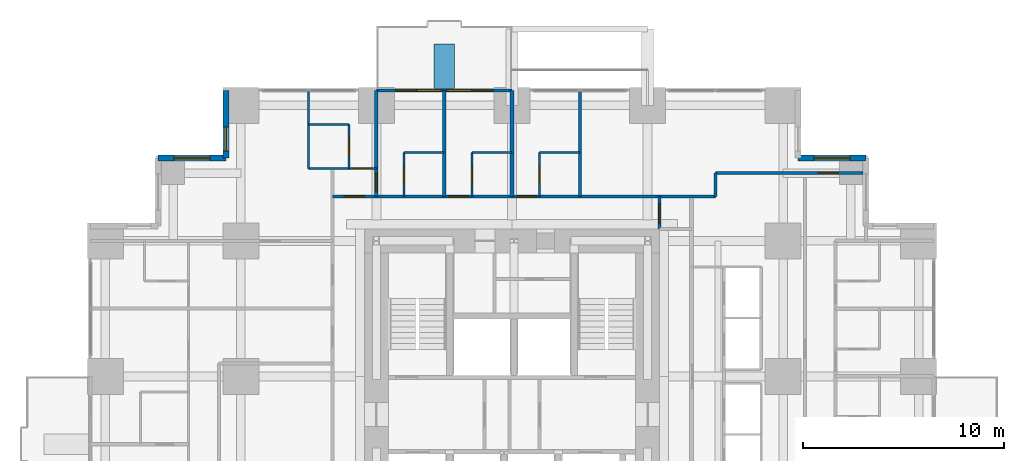
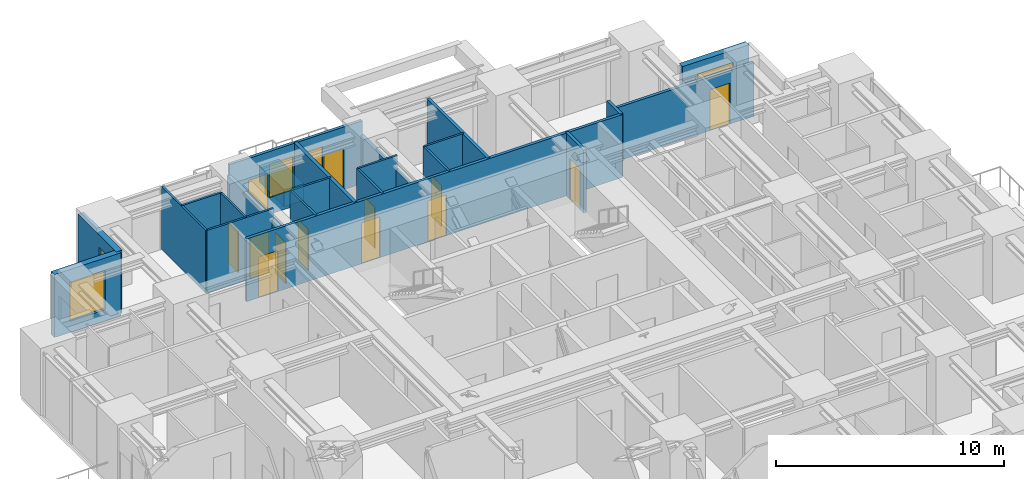
# One storey, part 11 of 13: 23 walls, 13 doors, 5 windows, 18 openings.
"""IFC4 building model written with IfcOpenShell, lengths in metres."""

from ifc_helpers import new_model, si_unit, direction, frame, frame_2d, origin, place, context, subcontext, project, spatial, rectangle, extrude, material, layer, layer_set, type_object, element, fill, save


model = new_model("IFC4")

# Units and contexts
model_context = context("Model", 3, precision=1e-05, world=origin(), true_north=direction((0.0, 1.0)))
body_context = subcontext(model_context, "Body", "Model", "MODEL_VIEW")
ifc_project = project(units=[si_unit("LENGTHUNIT", "METRE"), si_unit("AREAUNIT", "SQUARE_METRE"), si_unit("VOLUMEUNIT", "CUBIC_METRE"), si_unit("PLANEANGLEUNIT", "RADIAN"), si_unit("MASSUNIT", "GRAM", prefix="KILO")], contexts=[model_context])

# Site, building, storey
site_placement = place(None, origin())
site = spatial("IfcSite", under=ifc_project, at=site_placement, CompositionType="ELEMENT")
building_placement = place(site_placement, origin())
building = spatial("IfcBuilding", under=site, at=building_placement, Name="Nyansa Garden Tower", CompositionType="ELEMENT")
storey_placement = place(building_placement, frame((0.0, 0.0, 101.699951171875)))
storey = spatial("IfcBuildingStorey", under=building, at=storey_placement, Name="L27", CompositionType="ELEMENT", Elevation=101.699951171875)

# Wall, opening, door
ifc_material_1 = material(Name="Dense blockwork, plastered both sides, 55 dB", Category="masonry")
ifc_layer_1 = layer(ifc_material_1, 0.175048828125)
ifc_layer_set_1 = layer_set([ifc_layer_1], Name="Acoustic party wall PW175")
wall_type_1 = type_object("IfcWallType", Name="Acoustic party wall PW175", PredefinedType="PARTITIONING", material=ifc_layer_set_1)
wall_1_placement = place(storey_placement, frame((13.5, 29.199951171875, 0.0), z_axis=(0.0, 0.0, 1.0), x_axis=(0.0, 1.0, 0.0)))
wall_1 = element("IfcWall", 1, at=wall_1_placement, inside=storey, type_object=wall_type_1, Name="Party wall", PredefinedType="PARTITIONING", context=body_context, shape_type="SweptSolid", body=[
    extrude(rectangle(XDim=5.283935546875, YDim=0.175048828125, at=frame_2d((2.64208984375, 0.0))), origin(), (0.0, 0.0, 1.0), 2.80615234375),
])
opening_1_placement = place(wall_1_placement, frame((0.25, 0.0, 0.0)))
opening_1 = element("IfcOpeningElement", 2, at=opening_1_placement, cuts=wall_1, Name="Opening D14", PredefinedType="OPENING", context=body_context, shape_type="SweptSolid", body=[
    extrude(rectangle(XDim=0.949951171875, YDim=2.199951171875, at=frame_2d((0.47509765625, 1.10009765625))), frame((0.0, 0.097412109375, 0.0), z_axis=(0.0, -1.0, 0.0), x_axis=(1.0, 0.0, 0.0)), (0.0, 0.0, 1.0), 0.195068359375),
])
ifc_material_2 = material(Name="Timber flush door, 60 minute fire resisting, self-closing", Category="wood")
door_type_1 = type_object("IfcDoorType", Name="Studio entrance door D14 950x2200", OperationType="SINGLE_SWING_LEFT", PredefinedType="DOOR", material=ifc_material_2)
door_1_placement = place(opening_1_placement, origin())
door_1 = element("IfcDoor", 3, at=door_1_placement, inside=storey, type_object=door_type_1, Name="Door L27-047", OperationType="SINGLE_SWING_LEFT", OverallHeight=2.199951171875, OverallWidth=0.949951171875, PredefinedType="DOOR", context=body_context, shape_type="SweptSolid", body=[
    extrude(rectangle(XDim=0.949951171875, YDim=2.199951171875, at=frame_2d((0.47509765625, 1.10009765625))), frame((0.0, 0.02490234375, 0.0), z_axis=(0.0, -1.0, 0.0), x_axis=(1.0, 0.0, 0.0)), (0.0, 0.0, 1.0), 0.050048828125),
])
fill(opening_1, door_1)

# Walls
wall_2_placement = place(storey_placement, frame((16.875, 29.199951171875, 0.0), z_axis=(0.0, 0.0, 1.0), x_axis=(0.0, 1.0, 0.0)))
element("IfcWall", 4, at=wall_2_placement, inside=storey, type_object=wall_type_1, Name="Party wall", PredefinedType="PARTITIONING", context=body_context, shape_type="SweptSolid", body=[
    extrude(rectangle(XDim=5.283935546875, YDim=0.175048828125, at=frame_2d((2.64208984375, 0.0))), origin(), (0.0, 0.0, 1.0), 3.375),
])
wall_3_placement = place(storey_placement, frame((20.25, 29.199951171875, 0.0), z_axis=(0.0, 0.0, 1.0), x_axis=(0.0, 1.0, 0.0)))
element("IfcWall", 5, at=wall_3_placement, inside=storey, type_object=wall_type_1, Name="Party wall", PredefinedType="PARTITIONING", context=body_context, shape_type="SweptSolid", body=[
    extrude(rectangle(XDim=5.283935546875, YDim=0.175048828125, at=frame_2d((2.64208984375, 0.0))), origin(), (0.0, 0.0, 1.0), 2.610107421875),
])

# Wall, openings, doors, windows
ifc_material_3 = material(Name="Black aluminium framed glazed screen", Category="aluminium")
ifc_layer_2 = layer(ifc_material_3, 0.14990234375)
ifc_layer_set_2 = layer_set([ifc_layer_2], Name="Balcony screen wall BW150")
wall_type_2 = type_object("IfcWallType", Name="Balcony screen wall BW150", PredefinedType="SOLIDWALL", material=ifc_layer_set_2)
wall_4_placement = place(storey_placement, frame((13.5, 34.5, 0.0), z_axis=(0.0, 0.0, 1.0), x_axis=(1.0, 0.0, 0.0)))
wall_4 = element("IfcWall", 6, at=wall_4_placement, inside=storey, type_object=wall_type_2, Name="Glazed screen wall L27 N", PredefinedType="SOLIDWALL", context=body_context, shape_type="SweptSolid", body=[
    extrude(rectangle(XDim=6.75, YDim=0.14990234375, at=frame_2d((3.375, 0.0))), origin(), (0.0, 0.0, 1.0), 3.375),
])
opening_2_placement = place(wall_4_placement, frame((0.96240234375, 0.0, 0.0)))
opening_2 = element("IfcOpeningElement", 7, at=opening_2_placement, cuts=wall_4, Name="Opening D20", PredefinedType="OPENING", context=body_context, shape_type="SweptSolid", body=[
    extrude(rectangle(XDim=1.0, YDim=2.199951171875, at=frame_2d((0.5, 1.10009765625))), frame((0.0, 0.0849609375, 0.0), z_axis=(0.0, -1.0, 0.0), x_axis=(1.0, 0.0, 0.0)), (0.0, 0.0, 1.0), 0.169921875),
])
opening_3_placement = place(wall_4_placement, frame((2.02490234375, 0.0, 0.89990234375)))
opening_3 = element("IfcOpeningElement", 8, at=opening_3_placement, cuts=wall_4, Name="Opening W6", PredefinedType="OPENING", context=body_context, shape_type="SweptSolid", body=[
    extrude(rectangle(XDim=1.199951171875, YDim=1.800048828125, at=frame_2d((0.60009765625, 0.89990234375))), frame((0.0, 0.0849609375, 0.0), z_axis=(0.0, -1.0, 0.0), x_axis=(1.0, 0.0, 0.0)), (0.0, 0.0, 1.0), 0.169921875),
])
opening_4_placement = place(wall_4_placement, frame((4.78759765625, 0.0, 0.0)))
opening_4 = element("IfcOpeningElement", 9, at=opening_4_placement, cuts=wall_4, Name="Opening D20", PredefinedType="OPENING", context=body_context, shape_type="SweptSolid", body=[
    extrude(rectangle(XDim=1.0, YDim=2.199951171875, at=frame_2d((0.5, 1.10009765625))), frame((0.0, 0.0849609375, 0.0), z_axis=(0.0, -1.0, 0.0), x_axis=(1.0, 0.0, 0.0)), (0.0, 0.0, 1.0), 0.169921875),
])
opening_5_placement = place(wall_4_placement, frame((3.52490234375, 0.0, 0.89990234375)))
opening_5 = element("IfcOpeningElement", 10, at=opening_5_placement, cuts=wall_4, Name="Opening W6", PredefinedType="OPENING", context=body_context, shape_type="SweptSolid", body=[
    extrude(rectangle(XDim=1.199951171875, YDim=1.800048828125, at=frame_2d((0.60009765625, 0.89990234375))), frame((0.0, 0.0849609375, 0.0), z_axis=(0.0, -1.0, 0.0), x_axis=(1.0, 0.0, 0.0)), (0.0, 0.0, 1.0), 0.169921875),
])
ifc_material_4 = material(Name="Black aluminium framed glazed door", Category="aluminium")
door_type_2 = type_object("IfcDoorType", Name="Balcony door D20 1000x2200", OperationType="NOTDEFINED", PredefinedType="DOOR", material=ifc_material_4)
door_2_placement = place(opening_2_placement, origin())
door_2 = element("IfcDoor", 11, at=door_2_placement, inside=storey, type_object=door_type_2, Name="Balcony door L27", OperationType="SINGLE_SWING_LEFT", OverallHeight=2.199951171875, OverallWidth=1.0, PredefinedType="DOOR", context=body_context, shape_type="SweptSolid", body=[
    extrude(rectangle(XDim=1.0, YDim=2.199951171875, at=frame_2d((0.5, 1.10009765625))), frame((0.0, 0.02490234375, 0.0), z_axis=(0.0, -1.0, 0.0), x_axis=(1.0, 0.0, 0.0)), (0.0, 0.0, 1.0), 0.050048828125),
])
fill(opening_2, door_2)
door_3_placement = place(opening_4_placement, origin())
door_3 = element("IfcDoor", 12, at=door_3_placement, inside=storey, type_object=door_type_2, Name="Balcony door L27", OperationType="SINGLE_SWING_RIGHT", OverallHeight=2.199951171875, OverallWidth=1.0, PredefinedType="DOOR", context=body_context, shape_type="SweptSolid", body=[
    extrude(rectangle(XDim=1.0, YDim=2.199951171875, at=frame_2d((0.5, 1.10009765625))), frame((0.0, 0.02490234375, 0.0), z_axis=(0.0, -1.0, 0.0), x_axis=(1.0, 0.0, 0.0)), (0.0, 0.0, 1.0), 0.050048828125),
])
fill(opening_4, door_3)
ifc_material_5 = material(Name="Black aluminium frame, dark tinted double glazing", Category="aluminium")
window_type_1 = type_object("IfcWindowType", Name="Balcony window W6 1200x1800", PartitioningType="SINGLE_PANEL", PredefinedType="WINDOW", material=ifc_material_5)
window_1_placement = place(opening_3_placement, origin())
window_1 = element("IfcWindow", 13, at=window_1_placement, inside=storey, type_object=window_type_1, Name="Window L27", OverallHeight=1.800048828125, OverallWidth=1.199951171875, PartitioningType="SINGLE_PANEL", PredefinedType="WINDOW", context=body_context, shape_type="SweptSolid", body=[
    extrude(rectangle(XDim=1.199951171875, YDim=1.800048828125, at=frame_2d((0.60009765625, 0.89990234375))), frame((0.0, 0.030029296875, 0.0), z_axis=(0.0, -1.0, 0.0), x_axis=(1.0, 0.0, 0.0)), (0.0, 0.0, 1.0), 0.06005859375),
])
fill(opening_3, window_1)
window_2_placement = place(opening_5_placement, origin())
window_2 = element("IfcWindow", 14, at=window_2_placement, inside=storey, type_object=window_type_1, Name="Window L27", OverallHeight=1.800048828125, OverallWidth=1.199951171875, PartitioningType="SINGLE_PANEL", PredefinedType="WINDOW", context=body_context, shape_type="SweptSolid", body=[
    extrude(rectangle(XDim=1.199951171875, YDim=1.800048828125, at=frame_2d((0.60009765625, 0.89990234375))), frame((0.0, 0.030029296875, 0.0), z_axis=(0.0, -1.0, 0.0), x_axis=(1.0, 0.0, 0.0)), (0.0, 0.0, 1.0), 0.06005859375),
])
fill(opening_5, window_2)

# Wall, openings, doors
ifc_material_6 = material(Name="Blockwork, plastered both sides", Category="masonry")
ifc_layer_3 = layer(ifc_material_6, 0.14990234375)
ifc_layer_set_3 = layer_set([ifc_layer_3], Name="Partition PW150")
wall_type_3 = type_object("IfcWallType", Name="Partition PW150", PredefinedType="PARTITIONING", material=ifc_layer_set_3)
wall_5_placement = place(storey_placement, frame((11.300048828125, 29.199951171875, 0.0), z_axis=(0.0, 0.0, 1.0), x_axis=(1.0, 0.0, 0.0)))
wall_5 = element("IfcWall", 15, at=wall_5_placement, inside=storey, type_object=wall_type_3, Name="Partition", PredefinedType="PARTITIONING", context=body_context, shape_type="SweptSolid", body=[
    extrude(rectangle(XDim=19.074951171875, YDim=0.14990234375, at=frame_2d((9.53759765625, 0.0))), origin(), (0.0, 0.0, 1.0), 3.375),
])
opening_6_placement = place(wall_5_placement, frame((5.824951171875, 0.0, 0.0)))
opening_6 = element("IfcOpeningElement", 16, at=opening_6_placement, cuts=wall_5, Name="Opening D14", PredefinedType="OPENING", context=body_context, shape_type="SweptSolid", body=[
    extrude(rectangle(XDim=0.949951171875, YDim=2.199951171875, at=frame_2d((0.47509765625, 1.10009765625))), frame((0.0, 0.0849609375, 0.0), z_axis=(0.0, -1.0, 0.0), x_axis=(1.0, 0.0, 0.0)), (0.0, 0.0, 1.0), 0.169921875),
])
opening_7_placement = place(wall_5_placement, frame((9.199951171875, 0.0, 0.0)))
opening_7 = element("IfcOpeningElement", 17, at=opening_7_placement, cuts=wall_5, Name="Opening D14", PredefinedType="OPENING", context=body_context, shape_type="SweptSolid", body=[
    extrude(rectangle(XDim=0.949951171875, YDim=2.199951171875, at=frame_2d((0.47509765625, 1.10009765625))), frame((0.0, 0.0849609375, 0.0), z_axis=(0.0, -1.0, 0.0), x_axis=(1.0, 0.0, 0.0)), (0.0, 0.0, 1.0), 0.169921875),
])
opening_8_placement = place(wall_5_placement, frame((0.60009765625, 0.0, 0.0)))
opening_8 = element("IfcOpeningElement", 18, at=opening_8_placement, cuts=wall_5, Name="Opening D03", PredefinedType="OPENING", context=body_context, shape_type="SweptSolid", body=[
    extrude(rectangle(XDim=1.0, YDim=2.199951171875, at=frame_2d((0.5, 1.10009765625))), frame((0.0, 0.0849609375, 0.0), z_axis=(0.0, -1.0, 0.0), x_axis=(1.0, 0.0, 0.0)), (0.0, 0.0, 1.0), 0.169921875),
])
ifc_material_7 = material(Name="Timber flush door, 60 minute fire resisting", Category="wood")
door_type_3 = type_object("IfcDoorType", Name="Cluster entrance door D03 1000x2200", OperationType="SINGLE_SWING_LEFT", PredefinedType="DOOR", material=ifc_material_7)
door_4_placement = place(opening_8_placement, origin())
door_4 = element("IfcDoor", 19, at=door_4_placement, inside=storey, type_object=door_type_3, Name="Door L27-053", OperationType="SINGLE_SWING_LEFT", OverallHeight=2.199951171875, OverallWidth=1.0, PredefinedType="DOOR", context=body_context, shape_type="SweptSolid", body=[
    extrude(rectangle(XDim=1.0, YDim=2.199951171875, at=frame_2d((0.5, 1.10009765625))), frame((0.0, 0.02490234375, 0.0), z_axis=(0.0, -1.0, 0.0), x_axis=(1.0, 0.0, 0.0)), (0.0, 0.0, 1.0), 0.050048828125),
])
fill(opening_8, door_4)
door_5_placement = place(opening_6_placement, origin())
door_5 = element("IfcDoor", 20, at=door_5_placement, inside=storey, type_object=door_type_1, Name="Door L27-049", OperationType="SINGLE_SWING_LEFT", OverallHeight=2.199951171875, OverallWidth=0.949951171875, PredefinedType="DOOR", context=body_context, shape_type="SweptSolid", body=[
    extrude(rectangle(XDim=0.949951171875, YDim=2.199951171875, at=frame_2d((0.47509765625, 1.10009765625))), frame((0.0, 0.02490234375, 0.0), z_axis=(0.0, -1.0, 0.0), x_axis=(1.0, 0.0, 0.0)), (0.0, 0.0, 1.0), 0.050048828125),
])
fill(opening_6, door_5)
door_6_placement = place(opening_7_placement, origin())
door_6 = element("IfcDoor", 21, at=door_6_placement, inside=storey, type_object=door_type_1, Name="Door L27-051", OperationType="SINGLE_SWING_LEFT", OverallHeight=2.199951171875, OverallWidth=0.949951171875, PredefinedType="DOOR", context=body_context, shape_type="SweptSolid", body=[
    extrude(rectangle(XDim=0.949951171875, YDim=2.199951171875, at=frame_2d((0.47509765625, 1.10009765625))), frame((0.0, 0.02490234375, 0.0), z_axis=(0.0, -1.0, 0.0), x_axis=(1.0, 0.0, 0.0)), (0.0, 0.0, 1.0), 0.050048828125),
])
fill(opening_7, door_6)

# Wall
wall_6_placement = place(storey_placement, frame((23.625, 29.199951171875, 0.0), z_axis=(0.0, 0.0, 1.0), x_axis=(0.0, 1.0, 0.0)))
element("IfcWall", 22, at=wall_6_placement, inside=storey, type_object=wall_type_3, Name="Partition", PredefinedType="PARTITIONING", context=body_context, shape_type="SweptSolid", body=[
    extrude(rectangle(XDim=5.283935546875, YDim=0.14990234375, at=frame_2d((2.64208984375, 0.0))), origin(), (0.0, 0.0, 1.0), 3.375),
])

# Wall, opening, door
wall_7_placement = place(storey_placement, frame((27.60009765625, 27.60009765625, 0.0), z_axis=(0.0, 0.0, 1.0), x_axis=(0.0, 1.0, 0.0)))
wall_7 = element("IfcWall", 23, at=wall_7_placement, inside=storey, type_object=wall_type_3, Name="Partition", PredefinedType="PARTITIONING", context=body_context, shape_type="SweptSolid", body=[
    extrude(rectangle(XDim=1.599853515625, YDim=0.14990234375, at=frame_2d((0.7998046875, 0.0))), origin(), (0.0, 0.0, 1.0), 3.375),
])
opening_9_placement = place(wall_7_placement, frame((0.300048828125, 0.0, 0.0)))
opening_9 = element("IfcOpeningElement", 24, at=opening_9_placement, cuts=wall_7, Name="Opening D01", PredefinedType="OPENING", context=body_context, shape_type="SweptSolid", body=[
    extrude(rectangle(XDim=0.949951171875, YDim=2.199951171875, at=frame_2d((0.47509765625, 1.10009765625))), frame((0.0, 0.0849609375, 0.0), z_axis=(0.0, -1.0, 0.0), x_axis=(1.0, 0.0, 0.0)), (0.0, 0.0, 1.0), 0.169921875),
])
ifc_material_8 = material(Name="Timber flush door, 30 minute fire resisting", Category="wood")
door_type_4 = type_object("IfcDoorType", Name="Bedroom door D01 950x2200", OperationType="SINGLE_SWING_LEFT", PredefinedType="DOOR", material=ifc_material_8)
door_7_placement = place(opening_9_placement, origin())
door_7 = element("IfcDoor", 25, at=door_7_placement, inside=storey, type_object=door_type_4, Name="Door L27-018", OperationType="SINGLE_SWING_LEFT", OverallHeight=2.199951171875, OverallWidth=0.949951171875, PredefinedType="DOOR", context=body_context, shape_type="SweptSolid", body=[
    extrude(rectangle(XDim=0.949951171875, YDim=2.199951171875, at=frame_2d((0.47509765625, 1.10009765625))), frame((0.0, 0.02490234375, 0.0), z_axis=(0.0, -1.0, 0.0), x_axis=(1.0, 0.0, 0.0)), (0.0, 0.0, 1.0), 0.050048828125),
])
fill(opening_9, door_7)

# Wall
wall_8_placement = place(storey_placement, frame((30.375, 29.199951171875, 0.0), z_axis=(0.0, 0.0, 1.0), x_axis=(0.0, 1.0, 0.0)))
element("IfcWall", 26, at=wall_8_placement, inside=storey, type_object=wall_type_3, Name="Partition", PredefinedType="PARTITIONING", context=body_context, shape_type="SweptSolid", body=[
    extrude(rectangle(XDim=1.175048828125, YDim=0.14990234375, at=frame_2d((0.58740234375, 0.0))), origin(), (0.0, 0.0, 1.0), 3.375),
])

# Wall, opening, door
wall_9_placement = place(storey_placement, frame((30.375, 30.375, 0.0), z_axis=(0.0, 0.0, 1.0), x_axis=(1.0, 0.0, 0.0)))
wall_9 = element("IfcWall", 27, at=wall_9_placement, inside=storey, type_object=wall_type_3, Name="Partition", PredefinedType="PARTITIONING", context=body_context, shape_type="SweptSolid", body=[
    extrude(rectangle(XDim=7.35009765625, YDim=0.14990234375, at=frame_2d((3.675048828125, 0.0))), origin(), (0.0, 0.0, 1.0), 2.876953125),
])
opening_10_placement = place(wall_9_placement, frame((5.125, 0.0, 0.0)))
opening_10 = element("IfcOpeningElement", 28, at=opening_10_placement, cuts=wall_9, Name="Opening D03", PredefinedType="OPENING", context=body_context, shape_type="SweptSolid", body=[
    extrude(rectangle(XDim=1.0, YDim=2.199951171875, at=frame_2d((0.5, 1.10009765625))), frame((0.0, 0.0849609375, 0.0), z_axis=(0.0, -1.0, 0.0), x_axis=(1.0, 0.0, 0.0)), (0.0, 0.0, 1.0), 0.169921875),
])
door_8_placement = place(opening_10_placement, origin())
door_8 = element("IfcDoor", 29, at=door_8_placement, inside=storey, type_object=door_type_3, Name="Door L27-044", OperationType="SINGLE_SWING_LEFT", OverallHeight=2.199951171875, OverallWidth=1.0, PredefinedType="DOOR", context=body_context, shape_type="SweptSolid", body=[
    extrude(rectangle(XDim=1.0, YDim=2.199951171875, at=frame_2d((0.5, 1.10009765625))), frame((0.0, 0.02490234375, 0.0), z_axis=(0.0, -1.0, 0.0), x_axis=(1.0, 0.0, 0.0)), (0.0, 0.0, 1.0), 0.050048828125),
])
fill(opening_10, door_8)

# Wall, opening, window
ifc_material_9 = material(Name="Turquoise glazed tile on concrete blockwork", Category="masonry")
ifc_layer_4 = layer(ifc_material_9, 0.300048828125)
ifc_layer_set_4 = layer_set([ifc_layer_4], Name="Tiled corner wall TW300")
wall_type_4 = type_object("IfcWallType", Name="Tiled corner wall TW300", PredefinedType="SOLIDWALL", material=ifc_layer_set_4)
wall_10_placement = place(storey_placement, frame((37.875, 31.125, 0.0), z_axis=(0.0, 0.0, 1.0), x_axis=(-1.0, 0.0, 0.0)))
wall_10 = element("IfcWall", 30, at=wall_10_placement, inside=storey, type_object=wall_type_4, Name="Tiled corner wall L27", PredefinedType="SOLIDWALL", context=body_context, shape_type="SweptSolid", body=[
    extrude(rectangle(XDim=3.375, YDim=0.300048828125, at=frame_2d((1.6875, 0.0))), origin(), (0.0, 0.0, 1.0), 3.375),
])
opening_11_placement = place(wall_10_placement, frame((0.78759765625, 0.0, 0.60009765625)))
opening_11 = element("IfcOpeningElement", 31, at=opening_11_placement, cuts=wall_10, Name="Opening W2", PredefinedType="OPENING", context=body_context, shape_type="SweptSolid", body=[
    extrude(rectangle(XDim=1.800048828125, YDim=2.10009765625, at=frame_2d((0.89990234375, 1.050048828125))), frame((0.0, 0.159912109375, 0.0), z_axis=(0.0, -1.0, 0.0), x_axis=(1.0, 0.0, 0.0)), (0.0, 0.0, 1.0), 0.320068359375),
])
ifc_material_10 = material(Name="Black aluminium frame, dark tinted double glazing", Category="aluminium")
window_type_2 = type_object("IfcWindowType", Name="Window W2 1800x2100", PartitioningType="SINGLE_PANEL", PredefinedType="WINDOW", material=ifc_material_10)
window_3_placement = place(opening_11_placement, origin())
window_3 = element("IfcWindow", 32, at=window_3_placement, inside=storey, type_object=window_type_2, Name="Corner window L27", OverallHeight=2.10009765625, OverallWidth=1.800048828125, PartitioningType="SINGLE_PANEL", PredefinedType="WINDOW", context=body_context, shape_type="SweptSolid", body=[
    extrude(rectangle(XDim=1.800048828125, YDim=2.10009765625, at=frame_2d((0.89990234375, 1.050048828125))), frame((0.0, 0.030029296875, 0.0), z_axis=(0.0, -1.0, 0.0), x_axis=(1.0, 0.0, 0.0)), (0.0, 0.0, 1.0), 0.06005859375),
])
fill(opening_11, window_3)

wall_11_placement = place(storey_placement, frame((6.0, 34.5, 0.0), z_axis=(0.0, 0.0, 1.0), x_axis=(0.0, -1.0, 0.0)))
wall_11 = element("IfcWall", 33, at=wall_11_placement, inside=storey, type_object=wall_type_4, Name="Tiled corner wall L27", PredefinedType="SOLIDWALL", context=body_context, shape_type="SweptSolid", body=[
    extrude(rectangle(XDim=3.375, YDim=0.300048828125, at=frame_2d((1.6875, 0.0))), origin(), (0.0, 0.0, 1.0), 3.375),
])
opening_12_placement = place(wall_11_placement, frame((1.83251953125, 0.0, 0.89990234375)))
opening_12 = element("IfcOpeningElement", 34, at=opening_12_placement, cuts=wall_11, Name="Opening W4", PredefinedType="OPENING", context=body_context, shape_type="SweptSolid", body=[
    extrude(rectangle(XDim=1.199951171875, YDim=1.800048828125, at=frame_2d((0.60009765625, 0.89990234375))), frame((0.0, 0.159912109375, 0.0), z_axis=(0.0, -1.0, 0.0), x_axis=(1.0, 0.0, 0.0)), (0.0, 0.0, 1.0), 0.320068359375),
])
ifc_material_11 = material(Name="Black aluminium frame, dark tinted double glazing", Category="aluminium")
window_type_3 = type_object("IfcWindowType", Name="Window W4 1200x1800", PartitioningType="SINGLE_PANEL", PredefinedType="WINDOW", material=ifc_material_11)
window_4_placement = place(opening_12_placement, origin())
window_4 = element("IfcWindow", 35, at=window_4_placement, inside=storey, type_object=window_type_3, Name="Corner window L27", OverallHeight=1.800048828125, OverallWidth=1.199951171875, PartitioningType="SINGLE_PANEL", PredefinedType="WINDOW", context=body_context, shape_type="SweptSolid", body=[
    extrude(rectangle(XDim=1.199951171875, YDim=1.800048828125, at=frame_2d((0.60009765625, 0.89990234375))), frame((0.0, 0.030029296875, 0.0), z_axis=(0.0, -1.0, 0.0), x_axis=(1.0, 0.0, 0.0)), (0.0, 0.0, 1.0), 0.06005859375),
])
fill(opening_12, window_4)

wall_12_placement = place(storey_placement, frame((6.0, 31.125, 0.0), z_axis=(0.0, 0.0, 1.0), x_axis=(-1.0, 0.0, 0.0)))
wall_12 = element("IfcWall", 36, at=wall_12_placement, inside=storey, type_object=wall_type_4, Name="Tiled corner wall L27", PredefinedType="SOLIDWALL", context=body_context, shape_type="SweptSolid", body=[
    extrude(rectangle(XDim=3.375, YDim=0.300048828125, at=frame_2d((1.6875, 0.0))), origin(), (0.0, 0.0, 1.0), 3.375),
])
opening_13_placement = place(wall_12_placement, frame((0.78759765625, 0.0, 0.60009765625)))
opening_13 = element("IfcOpeningElement", 37, at=opening_13_placement, cuts=wall_12, Name="Opening W2", PredefinedType="OPENING", context=body_context, shape_type="SweptSolid", body=[
    extrude(rectangle(XDim=1.800048828125, YDim=2.10009765625, at=frame_2d((0.89990234375, 1.050048828125))), frame((0.0, 0.159912109375, 0.0), z_axis=(0.0, -1.0, 0.0), x_axis=(1.0, 0.0, 0.0)), (0.0, 0.0, 1.0), 0.320068359375),
])
window_5_placement = place(opening_13_placement, origin())
window_5 = element("IfcWindow", 38, at=window_5_placement, inside=storey, type_object=window_type_2, Name="Corner window L27", OverallHeight=2.10009765625, OverallWidth=1.800048828125, PartitioningType="SINGLE_PANEL", PredefinedType="WINDOW", context=body_context, shape_type="SweptSolid", body=[
    extrude(rectangle(XDim=1.800048828125, YDim=2.10009765625, at=frame_2d((0.89990234375, 1.050048828125))), frame((0.0, 0.030029296875, 0.0), z_axis=(0.0, -1.0, 0.0), x_axis=(1.0, 0.0, 0.0)), (0.0, 0.0, 1.0), 0.06005859375),
])
fill(opening_13, window_5)

# Walls
ifc_material_12 = material(Name="Concrete C40/50 planter, waterproofed", Category="concrete")
ifc_layer_5 = layer(ifc_material_12, 1.0)
ifc_layer_set_5 = layer_set([ifc_layer_5], Name="Tree planter TP1")
wall_type_5 = type_object("IfcWallType", Name="Tree planter TP1", PredefinedType="USERDEFINED", material=ifc_layer_set_5)
wall_13_placement = place(storey_placement, frame((16.875, 34.60009765625, 0.0), z_axis=(0.0, 0.0, 1.0), x_axis=(0.0, 1.0, 0.0)))
element("IfcWall", 39, at=wall_13_placement, inside=storey, type_object=wall_type_5, Name="Tree planter L27", ObjectType="TREE PLANTER", PredefinedType="USERDEFINED", context=body_context, shape_type="SweptSolid", body=[
    extrude(rectangle(XDim=2.199951171875, YDim=1.0, at=frame_2d((1.10009765625, 0.0))), origin(), (0.0, 0.0, 1.0), 0.900146484375),
])
ifc_material_13 = material(Name="Moisture resistant board on steel studs, tiled", Category="steel")
ifc_layer_6 = layer(ifc_material_13, 0.10009765625)
ifc_layer_set_6 = layer_set([ifc_layer_6], Name="Wet wall PW100")
wall_type_6 = type_object("IfcWallType", Name="Wet wall PW100", PredefinedType="PARTITIONING", material=ifc_layer_set_6)
wall_14_placement = place(storey_placement, frame((10.125, 30.60009765625, 0.0), z_axis=(0.0, 0.0, 1.0), x_axis=(0.0, 1.0, 0.0)))
element("IfcWall", 40, at=wall_14_placement, inside=storey, type_object=wall_type_6, Name="Wet wall", PredefinedType="PARTITIONING", context=body_context, shape_type="SweptSolid", body=[
    extrude(rectangle(XDim=3.8837890625, YDim=0.10009765625, at=frame_2d((1.94189453125, 0.0))), origin(), (0.0, 0.0, 1.0), 3.375),
])

# Wall, opening, door
wall_15_placement = place(storey_placement, frame((10.125, 30.60009765625, 0.0), z_axis=(0.0, 0.0, 1.0), x_axis=(1.0, 0.0, 0.0)))
wall_15 = element("IfcWall", 41, at=wall_15_placement, inside=storey, type_object=wall_type_6, Name="Wet wall", PredefinedType="PARTITIONING", context=body_context, shape_type="SweptSolid", body=[
    extrude(rectangle(XDim=3.375, YDim=0.10009765625, at=frame_2d((1.6875, 0.0))), origin(), (0.0, 0.0, 1.0), 3.375),
])
opening_14_placement = place(wall_15_placement, frame((2.199951171875, 0.0, 0.0)))
opening_14 = element("IfcOpeningElement", 42, at=opening_14_placement, cuts=wall_15, Name="Opening D14", PredefinedType="OPENING", context=body_context, shape_type="SweptSolid", body=[
    extrude(rectangle(XDim=0.949951171875, YDim=2.199951171875, at=frame_2d((0.47509765625, 1.10009765625))), frame((0.0, 0.06005859375, 0.0), z_axis=(0.0, -1.0, 0.0), x_axis=(1.0, 0.0, 0.0)), (0.0, 0.0, 1.0), 0.1201171875),
])
door_9_placement = place(opening_14_placement, origin())
door_9 = element("IfcDoor", 43, at=door_9_placement, inside=storey, type_object=door_type_1, Name="Door L27-045", OperationType="SINGLE_SWING_LEFT", OverallHeight=2.199951171875, OverallWidth=0.949951171875, PredefinedType="DOOR", context=body_context, shape_type="SweptSolid", body=[
    extrude(rectangle(XDim=0.949951171875, YDim=2.199951171875, at=frame_2d((0.47509765625, 1.10009765625))), frame((0.0, 0.02490234375, 0.0), z_axis=(0.0, -1.0, 0.0), x_axis=(1.0, 0.0, 0.0)), (0.0, 0.0, 1.0), 0.050048828125),
])
fill(opening_14, door_9)

# Wall
wall_16_placement = place(storey_placement, frame((10.125, 32.800048828125, 0.0), z_axis=(0.0, 0.0, 1.0), x_axis=(1.0, 0.0, 0.0)))
element("IfcWall", 44, at=wall_16_placement, inside=storey, type_object=wall_type_6, Name="Wet wall", PredefinedType="PARTITIONING", context=body_context, shape_type="SweptSolid", body=[
    extrude(rectangle(XDim=2.0, YDim=0.10009765625, at=frame_2d((1.0, 0.0))), origin(), (0.0, 0.0, 1.0), 3.375),
])

# Wall, opening, door
wall_17_placement = place(storey_placement, frame((12.125, 30.60009765625, 0.0), z_axis=(0.0, 0.0, 1.0), x_axis=(0.0, 1.0, 0.0)))
wall_17 = element("IfcWall", 45, at=wall_17_placement, inside=storey, type_object=wall_type_6, Name="Wet wall", PredefinedType="PARTITIONING", context=body_context, shape_type="SweptSolid", body=[
    extrude(rectangle(XDim=2.199951171875, YDim=0.10009765625, at=frame_2d((1.10009765625, 0.0))), origin(), (0.0, 0.0, 1.0), 3.375),
])
opening_15_placement = place(wall_17_placement, frame((0.64990234375, 0.0, 0.0)))
opening_15 = element("IfcOpeningElement", 46, at=opening_15_placement, cuts=wall_17, Name="Opening D02", PredefinedType="OPENING", context=body_context, shape_type="SweptSolid", body=[
    extrude(rectangle(XDim=0.89990234375, YDim=2.199951171875, at=frame_2d((0.449951171875, 1.10009765625))), frame((0.0, 0.06005859375, 0.0), z_axis=(0.0, -1.0, 0.0), x_axis=(1.0, 0.0, 0.0)), (0.0, 0.0, 1.0), 0.1201171875),
])
ifc_material_14 = material(Name="Timber flush door", Category="wood")
door_type_5 = type_object("IfcDoorType", Name="En-suite door D02 900x2200", OperationType="SINGLE_SWING_RIGHT", PredefinedType="DOOR", material=ifc_material_14)
door_10_placement = place(opening_15_placement, origin())
door_10 = element("IfcDoor", 47, at=door_10_placement, inside=storey, type_object=door_type_5, Name="Door L27-046", OperationType="SINGLE_SWING_RIGHT", OverallHeight=2.199951171875, OverallWidth=0.89990234375, PredefinedType="DOOR", context=body_context, shape_type="SweptSolid", body=[
    extrude(rectangle(XDim=0.89990234375, YDim=2.199951171875, at=frame_2d((0.449951171875, 1.10009765625))), frame((0.0, 0.02490234375, 0.0), z_axis=(0.0, -1.0, 0.0), x_axis=(1.0, 0.0, 0.0)), (0.0, 0.0, 1.0), 0.050048828125),
])
fill(opening_15, door_10)

wall_18_placement = place(storey_placement, frame((14.875, 29.199951171875, 0.0), z_axis=(0.0, 0.0, 1.0), x_axis=(0.0, 1.0, 0.0)))
wall_18 = element("IfcWall", 48, at=wall_18_placement, inside=storey, type_object=wall_type_6, Name="Wet wall", PredefinedType="PARTITIONING", context=body_context, shape_type="SweptSolid", body=[
    extrude(rectangle(XDim=2.199951171875, YDim=0.10009765625, at=frame_2d((1.10009765625, 0.0))), origin(), (0.0, 0.0, 1.0), 3.375),
])
opening_16_placement = place(wall_18_placement, frame((0.64990234375, 0.0, 0.0)))
opening_16 = element("IfcOpeningElement", 49, at=opening_16_placement, cuts=wall_18, Name="Opening D02", PredefinedType="OPENING", context=body_context, shape_type="SweptSolid", body=[
    extrude(rectangle(XDim=0.89990234375, YDim=2.199951171875, at=frame_2d((0.449951171875, 1.10009765625))), frame((0.0, 0.06005859375, 0.0), z_axis=(0.0, -1.0, 0.0), x_axis=(1.0, 0.0, 0.0)), (0.0, 0.0, 1.0), 0.1201171875),
])
door_11_placement = place(opening_16_placement, origin())
door_11 = element("IfcDoor", 50, at=door_11_placement, inside=storey, type_object=door_type_5, Name="Door L27-048", OperationType="SINGLE_SWING_RIGHT", OverallHeight=2.199951171875, OverallWidth=0.89990234375, PredefinedType="DOOR", context=body_context, shape_type="SweptSolid", body=[
    extrude(rectangle(XDim=0.89990234375, YDim=2.199951171875, at=frame_2d((0.449951171875, 1.10009765625))), frame((0.0, 0.02490234375, 0.0), z_axis=(0.0, -1.0, 0.0), x_axis=(1.0, 0.0, 0.0)), (0.0, 0.0, 1.0), 0.050048828125),
])
fill(opening_16, door_11)

# Wall
wall_19_placement = place(storey_placement, frame((14.875, 31.39990234375, 0.0), z_axis=(0.0, 0.0, 1.0), x_axis=(1.0, 0.0, 0.0)))
element("IfcWall", 51, at=wall_19_placement, inside=storey, type_object=wall_type_6, Name="Wet wall", PredefinedType="PARTITIONING", context=body_context, shape_type="SweptSolid", body=[
    extrude(rectangle(XDim=2.0, YDim=0.10009765625, at=frame_2d((1.0, 0.0))), origin(), (0.0, 0.0, 1.0), 3.375),
])

# Wall, opening, door
wall_20_placement = place(storey_placement, frame((18.25, 29.199951171875, 0.0), z_axis=(0.0, 0.0, 1.0), x_axis=(0.0, 1.0, 0.0)))
wall_20 = element("IfcWall", 52, at=wall_20_placement, inside=storey, type_object=wall_type_6, Name="Wet wall", PredefinedType="PARTITIONING", context=body_context, shape_type="SweptSolid", body=[
    extrude(rectangle(XDim=2.199951171875, YDim=0.10009765625, at=frame_2d((1.10009765625, 0.0))), origin(), (0.0, 0.0, 1.0), 3.375),
])
opening_17_placement = place(wall_20_placement, frame((0.64990234375, 0.0, 0.0)))
opening_17 = element("IfcOpeningElement", 53, at=opening_17_placement, cuts=wall_20, Name="Opening D02", PredefinedType="OPENING", context=body_context, shape_type="SweptSolid", body=[
    extrude(rectangle(XDim=0.89990234375, YDim=2.199951171875, at=frame_2d((0.449951171875, 1.10009765625))), frame((0.0, 0.06005859375, 0.0), z_axis=(0.0, -1.0, 0.0), x_axis=(1.0, 0.0, 0.0)), (0.0, 0.0, 1.0), 0.1201171875),
])
door_12_placement = place(opening_17_placement, origin())
door_12 = element("IfcDoor", 54, at=door_12_placement, inside=storey, type_object=door_type_5, Name="Door L27-050", OperationType="SINGLE_SWING_RIGHT", OverallHeight=2.199951171875, OverallWidth=0.89990234375, PredefinedType="DOOR", context=body_context, shape_type="SweptSolid", body=[
    extrude(rectangle(XDim=0.89990234375, YDim=2.199951171875, at=frame_2d((0.449951171875, 1.10009765625))), frame((0.0, 0.02490234375, 0.0), z_axis=(0.0, -1.0, 0.0), x_axis=(1.0, 0.0, 0.0)), (0.0, 0.0, 1.0), 0.050048828125),
])
fill(opening_17, door_12)

# Wall
wall_21_placement = place(storey_placement, frame((18.25, 31.39990234375, 0.0), z_axis=(0.0, 0.0, 1.0), x_axis=(1.0, 0.0, 0.0)))
element("IfcWall", 55, at=wall_21_placement, inside=storey, type_object=wall_type_6, Name="Wet wall", PredefinedType="PARTITIONING", context=body_context, shape_type="SweptSolid", body=[
    extrude(rectangle(XDim=2.0, YDim=0.10009765625, at=frame_2d((1.0, 0.0))), origin(), (0.0, 0.0, 1.0), 3.375),
])

# Wall, opening, door
wall_22_placement = place(storey_placement, frame((21.625, 29.199951171875, 0.0), z_axis=(0.0, 0.0, 1.0), x_axis=(0.0, 1.0, 0.0)))
wall_22 = element("IfcWall", 56, at=wall_22_placement, inside=storey, type_object=wall_type_6, Name="Wet wall", PredefinedType="PARTITIONING", context=body_context, shape_type="SweptSolid", body=[
    extrude(rectangle(XDim=2.199951171875, YDim=0.10009765625, at=frame_2d((1.10009765625, 0.0))), origin(), (0.0, 0.0, 1.0), 3.375),
])
opening_18_placement = place(wall_22_placement, frame((0.64990234375, 0.0, 0.0)))
opening_18 = element("IfcOpeningElement", 57, at=opening_18_placement, cuts=wall_22, Name="Opening D02", PredefinedType="OPENING", context=body_context, shape_type="SweptSolid", body=[
    extrude(rectangle(XDim=0.89990234375, YDim=2.199951171875, at=frame_2d((0.449951171875, 1.10009765625))), frame((0.0, 0.06005859375, 0.0), z_axis=(0.0, -1.0, 0.0), x_axis=(1.0, 0.0, 0.0)), (0.0, 0.0, 1.0), 0.1201171875),
])
door_13_placement = place(opening_18_placement, origin())
door_13 = element("IfcDoor", 58, at=door_13_placement, inside=storey, type_object=door_type_5, Name="Door L27-052", OperationType="SINGLE_SWING_RIGHT", OverallHeight=2.199951171875, OverallWidth=0.89990234375, PredefinedType="DOOR", context=body_context, shape_type="SweptSolid", body=[
    extrude(rectangle(XDim=0.89990234375, YDim=2.199951171875, at=frame_2d((0.449951171875, 1.10009765625))), frame((0.0, 0.02490234375, 0.0), z_axis=(0.0, -1.0, 0.0), x_axis=(1.0, 0.0, 0.0)), (0.0, 0.0, 1.0), 0.050048828125),
])
fill(opening_18, door_13)

# Wall
wall_23_placement = place(storey_placement, frame((21.625, 31.39990234375, 0.0), z_axis=(0.0, 0.0, 1.0), x_axis=(1.0, 0.0, 0.0)))
element("IfcWall", 59, at=wall_23_placement, inside=storey, type_object=wall_type_6, Name="Wet wall", PredefinedType="PARTITIONING", context=body_context, shape_type="SweptSolid", body=[
    extrude(rectangle(XDim=2.0, YDim=0.10009765625, at=frame_2d((1.0, 0.0))), origin(), (0.0, 0.0, 1.0), 3.375),
])

save(model, "model.ifc")
